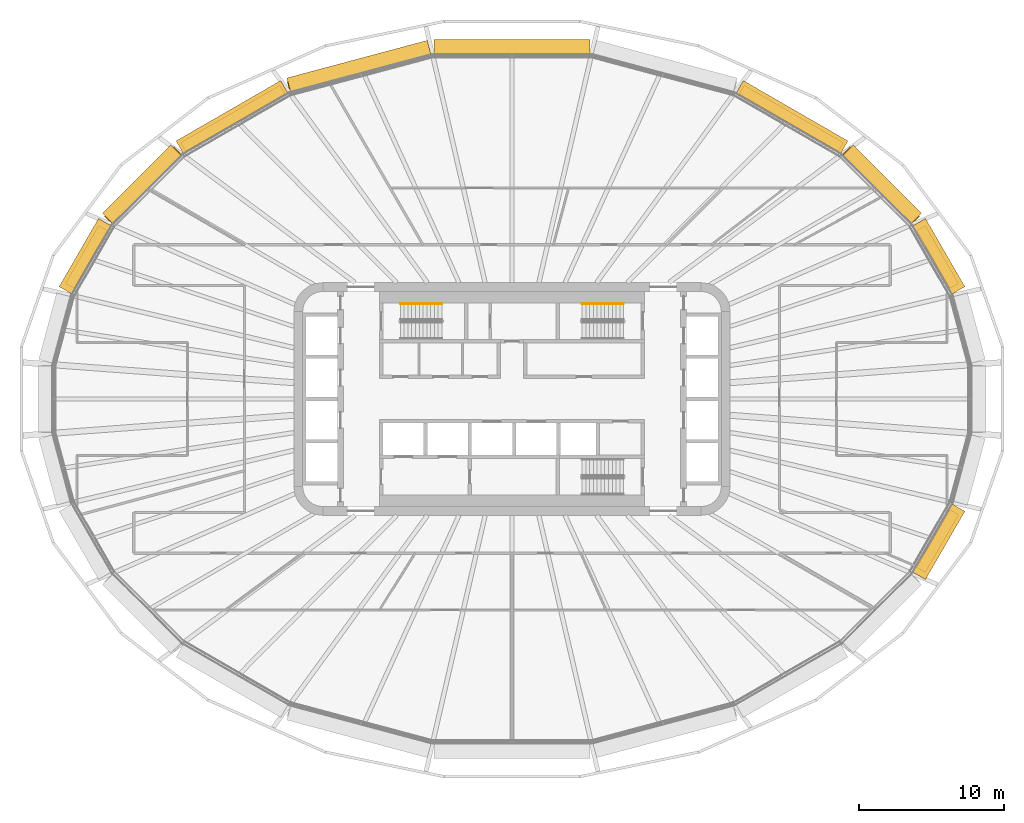
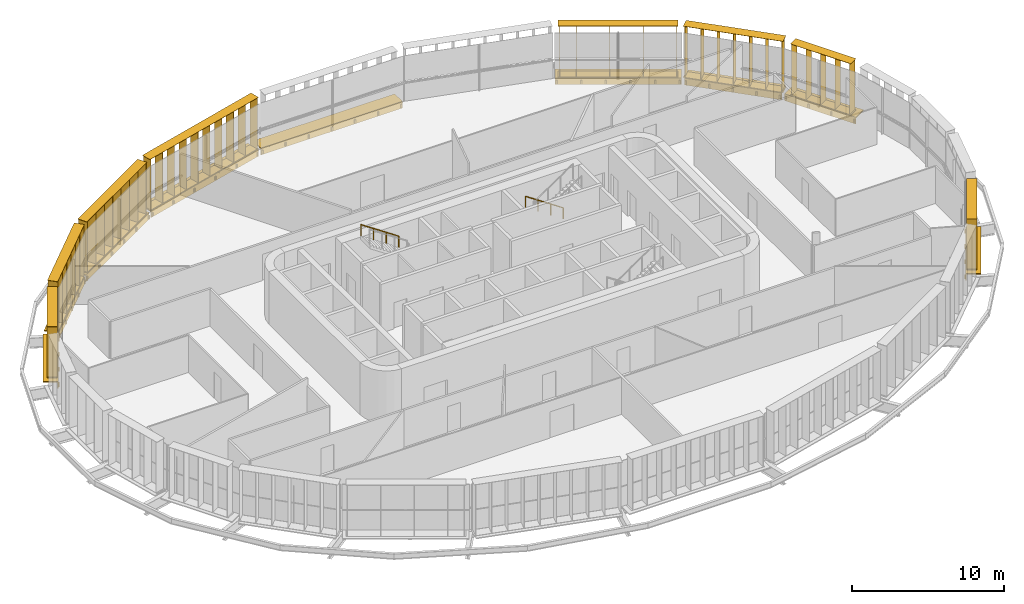
# One storey, part 24 of 25: 17 shading devices, 2 railings.
"""IFC4 building model written with IfcOpenShell, lengths in metres."""

from ifc_helpers import new_model, si_unit, direction, frame, origin, origin_2d, place, context, subcontext, project, spatial, rectangle, circle, extrude, material, type_object, element, save


model = new_model("IFC4")

# Units and contexts
model_context = context("Model", 3, precision=1e-05, world=origin(), true_north=direction((0.0, 1.0)))
body_context = subcontext(model_context, "Body", "Model", "MODEL_VIEW")
ifc_project = project(units=[si_unit("LENGTHUNIT", "METRE"), si_unit("AREAUNIT", "SQUARE_METRE"), si_unit("VOLUMEUNIT", "CUBIC_METRE"), si_unit("PLANEANGLEUNIT", "RADIAN"), si_unit("MASSUNIT", "GRAM", prefix="KILO")], contexts=[model_context])

# Site, building, storey
site_placement = place(None, origin())
site = spatial("IfcSite", under=ifc_project, at=site_placement, CompositionType="ELEMENT")
building_placement = place(site_placement, origin())
building = spatial("IfcBuilding", under=site, at=building_placement, Name="Sahrelin Media Tower", CompositionType="ELEMENT")
storey_placement = place(building_placement, frame((0.0, 0.0, 139.800048828125)))
storey = spatial("IfcBuildingStorey", under=building, at=storey_placement, Name="L28", CompositionType="ELEMENT", Elevation=139.800048828125)

# Shading devices
ifc_material_1 = material(Name="Champagne anodised aluminium 6063-T6", Category="aluminium")
shading_device_type_1 = type_object("IfcShadingDeviceType", Name="Fin cassette", PredefinedType="USERDEFINED", material=ifc_material_1)
placement_1 = place(storey_placement, frame((28.8984375, 9.5546875, 0.0), z_axis=(0.0, 0.0, 1.0), x_axis=(0.500011000363, -0.866019052629, 0.0)))
element("IfcShadingDevice", 1, at=placement_1, inside=storey, type_object=shading_device_type_1, Name="L28:FIN:L28-02", ObjectType="FIN", PredefinedType="USERDEFINED", context=body_context, shape_type="SweptSolid", body=[
    extrude(rectangle(XDim=4.60009765625, YDim=0.699951171875, at=origin_2d()), frame((0.0, 0.419921875, 0.0)), (0.0, 0.0, 1.0), 0.02001953125),
    extrude(rectangle(XDim=4.60009765625, YDim=0.699951171875, at=origin_2d()), frame((0.0, 0.419921875, 4.10009765625)), (0.0, 0.0, 1.0), 0.02001953125),
    extrude(rectangle(XDim=0.02001953125, YDim=0.699951171875, at=origin_2d()), frame((-2.199951171875, 0.419921875, 0.010009765625), z_axis=(0.0, 0.0, 1.0), x_axis=(1.0, 0.0, 0.0)), (0.0, 0.0, 1.0), 4.10009765625),
    extrude(rectangle(XDim=0.02001953125, YDim=0.699951171875, at=origin_2d()), frame((-1.10009765625, 0.419921875, 0.010009765625), z_axis=(0.0, 0.0, 1.0), x_axis=(1.0, 0.0, 0.0)), (0.0, 0.0, 1.0), 4.10009765625),
    extrude(rectangle(XDim=0.02001953125, YDim=0.699951171875, at=origin_2d()), frame((0.0, 0.419921875, 0.010009765625), z_axis=(0.0, 0.0, 1.0), x_axis=(1.0, 0.0, 0.0)), (0.0, 0.0, 1.0), 4.10009765625),
    extrude(rectangle(XDim=0.02001953125, YDim=0.699951171875, at=origin_2d()), frame((1.10009765625, 0.419921875, 0.010009765625), z_axis=(0.0, 0.0, 1.0), x_axis=(1.0, 0.0, 0.0)), (0.0, 0.0, 1.0), 4.10009765625),
    extrude(rectangle(XDim=0.02001953125, YDim=0.699951171875, at=origin_2d()), frame((2.199951171875, 0.419921875, 0.010009765625), z_axis=(0.0, 0.0, 1.0), x_axis=(1.0, 0.0, 0.0)), (0.0, 0.0, 1.0), 4.10009765625),
])
placement_2 = place(storey_placement, frame((25.08349609375, 14.396728515625, 0.0), z_axis=(0.0, 0.0, 1.0), x_axis=(0.707106781187, -0.707106781187, 0.0)))
element("IfcShadingDevice", 2, at=placement_2, inside=storey, type_object=shading_device_type_1, Name="L28:FIN:L28-03", ObjectType="FIN", PredefinedType="USERDEFINED", context=body_context, shape_type="SweptSolid", body=[
    extrude(rectangle(XDim=6.800048828125, YDim=0.699951171875, at=origin_2d()), frame((0.0, 0.419921875, 0.0)), (0.0, 0.0, 1.0), 0.02001953125),
    extrude(rectangle(XDim=6.800048828125, YDim=0.699951171875, at=origin_2d()), frame((0.0, 0.419921875, 4.10009765625)), (0.0, 0.0, 1.0), 0.02001953125),
    extrude(rectangle(XDim=0.02001953125, YDim=0.699951171875, at=origin_2d()), frame((-3.300048828125, 0.419921875, 0.010009765625), z_axis=(0.0, 0.0, 1.0), x_axis=(1.0, 0.0, 0.0)), (0.0, 0.0, 1.0), 4.10009765625),
    extrude(rectangle(XDim=0.02001953125, YDim=0.699951171875, at=origin_2d()), frame((-2.199951171875, 0.419921875, 0.010009765625), z_axis=(0.0, 0.0, 1.0), x_axis=(1.0, 0.0, 0.0)), (0.0, 0.0, 1.0), 4.10009765625),
    extrude(rectangle(XDim=0.02001953125, YDim=0.699951171875, at=origin_2d()), frame((-1.10009765625, 0.419921875, 0.010009765625), z_axis=(0.0, 0.0, 1.0), x_axis=(1.0, 0.0, 0.0)), (0.0, 0.0, 1.0), 4.10009765625),
    extrude(rectangle(XDim=0.02001953125, YDim=0.699951171875, at=origin_2d()), frame((0.0, 0.419921875, 0.010009765625), z_axis=(0.0, 0.0, 1.0), x_axis=(1.0, 0.0, 0.0)), (0.0, 0.0, 1.0), 4.10009765625),
    extrude(rectangle(XDim=0.02001953125, YDim=0.699951171875, at=origin_2d()), frame((1.10009765625, 0.419921875, 0.010009765625), z_axis=(0.0, 0.0, 1.0), x_axis=(1.0, 0.0, 0.0)), (0.0, 0.0, 1.0), 4.10009765625),
    extrude(rectangle(XDim=0.02001953125, YDim=0.699951171875, at=origin_2d()), frame((2.199951171875, 0.419921875, 0.010009765625), z_axis=(0.0, 0.0, 1.0), x_axis=(1.0, 0.0, 0.0)), (0.0, 0.0, 1.0), 4.10009765625),
    extrude(rectangle(XDim=0.02001953125, YDim=0.699951171875, at=origin_2d()), frame((3.300048828125, 0.419921875, 0.010009765625), z_axis=(0.0, 0.0, 1.0), x_axis=(1.0, 0.0, 0.0)), (0.0, 0.0, 1.0), 4.10009765625),
])
placement_3 = place(storey_placement, frame((18.990966796875, 18.93359375, 0.0), z_axis=(0.0, 0.0, 1.0), x_axis=(0.866019052629, -0.500011000363, 0.0)))
element("IfcShadingDevice", 3, at=placement_3, inside=storey, type_object=shading_device_type_1, Name="L28:FIN:L28-04", ObjectType="FIN", PredefinedType="USERDEFINED", context=body_context, shape_type="SweptSolid", body=[
    extrude(rectangle(XDim=7.89990234375, YDim=0.699951171875, at=origin_2d()), frame((0.0, 0.419921875, 0.0)), (0.0, 0.0, 1.0), 0.02001953125),
    extrude(rectangle(XDim=7.89990234375, YDim=0.699951171875, at=origin_2d()), frame((0.0, 0.419921875, 4.10009765625)), (0.0, 0.0, 1.0), 0.02001953125),
    extrude(rectangle(XDim=0.02001953125, YDim=0.699951171875, at=origin_2d()), frame((-3.85009765625, 0.419921875, 0.010009765625), z_axis=(0.0, 0.0, 1.0), x_axis=(1.0, 0.0, 0.0)), (0.0, 0.0, 1.0), 4.10009765625),
    extrude(rectangle(XDim=0.02001953125, YDim=0.699951171875, at=origin_2d()), frame((-2.75, 0.419921875, 0.010009765625), z_axis=(0.0, 0.0, 1.0), x_axis=(1.0, 0.0, 0.0)), (0.0, 0.0, 1.0), 4.10009765625),
    extrude(rectangle(XDim=0.02001953125, YDim=0.699951171875, at=origin_2d()), frame((-1.64990234375, 0.419921875, 0.010009765625), z_axis=(0.0, 0.0, 1.0), x_axis=(1.0, 0.0, 0.0)), (0.0, 0.0, 1.0), 4.10009765625),
    extrude(rectangle(XDim=0.02001953125, YDim=0.699951171875, at=origin_2d()), frame((-0.550048828125, 0.419921875, 0.010009765625), z_axis=(0.0, 0.0, 1.0), x_axis=(1.0, 0.0, 0.0)), (0.0, 0.0, 1.0), 4.10009765625),
    extrude(rectangle(XDim=0.02001953125, YDim=0.699951171875, at=origin_2d()), frame((0.550048828125, 0.419921875, 0.010009765625), z_axis=(0.0, 0.0, 1.0), x_axis=(1.0, 0.0, 0.0)), (0.0, 0.0, 1.0), 4.10009765625),
    extrude(rectangle(XDim=0.02001953125, YDim=0.699951171875, at=origin_2d()), frame((1.64990234375, 0.419921875, 0.010009765625), z_axis=(0.0, 0.0, 1.0), x_axis=(1.0, 0.0, 0.0)), (0.0, 0.0, 1.0), 4.10009765625),
    extrude(rectangle(XDim=0.02001953125, YDim=0.699951171875, at=origin_2d()), frame((2.75, 0.419921875, 0.010009765625), z_axis=(0.0, 0.0, 1.0), x_axis=(1.0, 0.0, 0.0)), (0.0, 0.0, 1.0), 4.10009765625),
    extrude(rectangle(XDim=0.02001953125, YDim=0.699951171875, at=origin_2d()), frame((3.85009765625, 0.419921875, 0.010009765625), z_axis=(0.0, 0.0, 1.0), x_axis=(1.0, 0.0, 0.0)), (0.0, 0.0, 1.0), 4.10009765625),
])
placement_4 = place(storey_placement, frame((-10.389404296875, 22.377197265625, 0.0), z_axis=(0.0, 0.0, 1.0), x_axis=(0.965928857556, 0.258807731996, 0.0)))
element("IfcShadingDevice", 4, at=placement_4, inside=storey, type_object=shading_device_type_1, Name="L28:FIN:L28-07", ObjectType="FIN", PredefinedType="USERDEFINED", context=body_context, shape_type="SweptSolid", body=[
    extrude(rectangle(XDim=10.10009765625, YDim=0.699951171875, at=origin_2d()), frame((0.0, 0.419921875, 0.0)), (0.0, 0.0, 1.0), 0.02001953125),
    extrude(rectangle(XDim=10.10009765625, YDim=0.699951171875, at=origin_2d()), frame((0.0, 0.419921875, 4.10009765625)), (0.0, 0.0, 1.0), 0.02001953125),
    extrude(rectangle(XDim=0.02001953125, YDim=0.699951171875, at=origin_2d()), frame((-4.949951171875, 0.419921875, 0.010009765625), z_axis=(0.0, 0.0, 1.0), x_axis=(1.0, 0.0, 0.0)), (0.0, 0.0, 1.0), 4.10009765625),
    extrude(rectangle(XDim=0.02001953125, YDim=0.699951171875, at=origin_2d()), frame((-3.85009765625, 0.419921875, 0.010009765625), z_axis=(0.0, 0.0, 1.0), x_axis=(1.0, 0.0, 0.0)), (0.0, 0.0, 1.0), 4.10009765625),
    extrude(rectangle(XDim=0.02001953125, YDim=0.699951171875, at=origin_2d()), frame((-2.75, 0.419921875, 0.010009765625), z_axis=(0.0, 0.0, 1.0), x_axis=(1.0, 0.0, 0.0)), (0.0, 0.0, 1.0), 4.10009765625),
    extrude(rectangle(XDim=0.02001953125, YDim=0.699951171875, at=origin_2d()), frame((-1.64990234375, 0.419921875, 0.010009765625), z_axis=(0.0, 0.0, 1.0), x_axis=(1.0, 0.0, 0.0)), (0.0, 0.0, 1.0), 4.10009765625),
    extrude(rectangle(XDim=0.02001953125, YDim=0.699951171875, at=origin_2d()), frame((-0.550048828125, 0.419921875, 0.010009765625), z_axis=(0.0, 0.0, 1.0), x_axis=(1.0, 0.0, 0.0)), (0.0, 0.0, 1.0), 4.10009765625),
    extrude(rectangle(XDim=0.02001953125, YDim=0.699951171875, at=origin_2d()), frame((0.550048828125, 0.419921875, 0.010009765625), z_axis=(0.0, 0.0, 1.0), x_axis=(1.0, 0.0, 0.0)), (0.0, 0.0, 1.0), 4.10009765625),
    extrude(rectangle(XDim=0.02001953125, YDim=0.699951171875, at=origin_2d()), frame((1.64990234375, 0.419921875, 0.010009765625), z_axis=(0.0, 0.0, 1.0), x_axis=(1.0, 0.0, 0.0)), (0.0, 0.0, 1.0), 4.10009765625),
    extrude(rectangle(XDim=0.02001953125, YDim=0.699951171875, at=origin_2d()), frame((2.75, 0.419921875, 0.010009765625), z_axis=(0.0, 0.0, 1.0), x_axis=(1.0, 0.0, 0.0)), (0.0, 0.0, 1.0), 4.10009765625),
    extrude(rectangle(XDim=0.02001953125, YDim=0.699951171875, at=origin_2d()), frame((3.85009765625, 0.419921875, 0.010009765625), z_axis=(0.0, 0.0, 1.0), x_axis=(1.0, 0.0, 0.0)), (0.0, 0.0, 1.0), 4.10009765625),
    extrude(rectangle(XDim=0.02001953125, YDim=0.699951171875, at=origin_2d()), frame((4.949951171875, 0.419921875, 0.010009765625), z_axis=(0.0, 0.0, 1.0), x_axis=(1.0, 0.0, 0.0)), (0.0, 0.0, 1.0), 4.10009765625),
])
placement_5 = place(storey_placement, frame((-18.990966796875, 18.93359375, 0.0), z_axis=(0.0, 0.0, 1.0), x_axis=(0.866019052629, 0.500011000363, 0.0)))
element("IfcShadingDevice", 5, at=placement_5, inside=storey, type_object=shading_device_type_1, Name="L28:FIN:L28-08", ObjectType="FIN", PredefinedType="USERDEFINED", context=body_context, shape_type="SweptSolid", body=[
    extrude(rectangle(XDim=7.89990234375, YDim=0.699951171875, at=origin_2d()), frame((0.0, 0.419921875, 0.0)), (0.0, 0.0, 1.0), 0.02001953125),
    extrude(rectangle(XDim=7.89990234375, YDim=0.699951171875, at=origin_2d()), frame((0.0, 0.419921875, 4.10009765625)), (0.0, 0.0, 1.0), 0.02001953125),
    extrude(rectangle(XDim=0.02001953125, YDim=0.699951171875, at=origin_2d()), frame((-3.85009765625, 0.419921875, 0.010009765625), z_axis=(0.0, 0.0, 1.0), x_axis=(1.0, 0.0, 0.0)), (0.0, 0.0, 1.0), 4.10009765625),
    extrude(rectangle(XDim=0.02001953125, YDim=0.699951171875, at=origin_2d()), frame((-2.75, 0.419921875, 0.010009765625), z_axis=(0.0, 0.0, 1.0), x_axis=(1.0, 0.0, 0.0)), (0.0, 0.0, 1.0), 4.10009765625),
    extrude(rectangle(XDim=0.02001953125, YDim=0.699951171875, at=origin_2d()), frame((-1.64990234375, 0.419921875, 0.010009765625), z_axis=(0.0, 0.0, 1.0), x_axis=(1.0, 0.0, 0.0)), (0.0, 0.0, 1.0), 4.10009765625),
    extrude(rectangle(XDim=0.02001953125, YDim=0.699951171875, at=origin_2d()), frame((-0.550048828125, 0.419921875, 0.010009765625), z_axis=(0.0, 0.0, 1.0), x_axis=(1.0, 0.0, 0.0)), (0.0, 0.0, 1.0), 4.10009765625),
    extrude(rectangle(XDim=0.02001953125, YDim=0.699951171875, at=origin_2d()), frame((0.550048828125, 0.419921875, 0.010009765625), z_axis=(0.0, 0.0, 1.0), x_axis=(1.0, 0.0, 0.0)), (0.0, 0.0, 1.0), 4.10009765625),
    extrude(rectangle(XDim=0.02001953125, YDim=0.699951171875, at=origin_2d()), frame((1.64990234375, 0.419921875, 0.010009765625), z_axis=(0.0, 0.0, 1.0), x_axis=(1.0, 0.0, 0.0)), (0.0, 0.0, 1.0), 4.10009765625),
    extrude(rectangle(XDim=0.02001953125, YDim=0.699951171875, at=origin_2d()), frame((2.75, 0.419921875, 0.010009765625), z_axis=(0.0, 0.0, 1.0), x_axis=(1.0, 0.0, 0.0)), (0.0, 0.0, 1.0), 4.10009765625),
    extrude(rectangle(XDim=0.02001953125, YDim=0.699951171875, at=origin_2d()), frame((3.85009765625, 0.419921875, 0.010009765625), z_axis=(0.0, 0.0, 1.0), x_axis=(1.0, 0.0, 0.0)), (0.0, 0.0, 1.0), 4.10009765625),
])
placement_6 = place(storey_placement, frame((-25.08349609375, 14.39697265625, 0.0), z_axis=(0.0, 0.0, 1.0), x_axis=(0.707106781187, 0.707106781187, 0.0)))
element("IfcShadingDevice", 6, at=placement_6, inside=storey, type_object=shading_device_type_1, Name="L28:FIN:L28-09", ObjectType="FIN", PredefinedType="USERDEFINED", context=body_context, shape_type="SweptSolid", body=[
    extrude(rectangle(XDim=6.800048828125, YDim=0.699951171875, at=origin_2d()), frame((0.0, 0.419921875, 0.0)), (0.0, 0.0, 1.0), 0.02001953125),
    extrude(rectangle(XDim=6.800048828125, YDim=0.699951171875, at=origin_2d()), frame((0.0, 0.419921875, 4.10009765625)), (0.0, 0.0, 1.0), 0.02001953125),
    extrude(rectangle(XDim=0.02001953125, YDim=0.699951171875, at=origin_2d()), frame((-3.300048828125, 0.419921875, 0.010009765625), z_axis=(0.0, 0.0, 1.0), x_axis=(1.0, 0.0, 0.0)), (0.0, 0.0, 1.0), 4.10009765625),
    extrude(rectangle(XDim=0.02001953125, YDim=0.699951171875, at=origin_2d()), frame((-2.199951171875, 0.419921875, 0.010009765625), z_axis=(0.0, 0.0, 1.0), x_axis=(1.0, 0.0, 0.0)), (0.0, 0.0, 1.0), 4.10009765625),
    extrude(rectangle(XDim=0.02001953125, YDim=0.699951171875, at=origin_2d()), frame((-1.10009765625, 0.419921875, 0.010009765625), z_axis=(0.0, 0.0, 1.0), x_axis=(1.0, 0.0, 0.0)), (0.0, 0.0, 1.0), 4.10009765625),
    extrude(rectangle(XDim=0.02001953125, YDim=0.699951171875, at=origin_2d()), frame((0.0, 0.419921875, 0.010009765625), z_axis=(0.0, 0.0, 1.0), x_axis=(1.0, 0.0, 0.0)), (0.0, 0.0, 1.0), 4.10009765625),
    extrude(rectangle(XDim=0.02001953125, YDim=0.699951171875, at=origin_2d()), frame((1.10009765625, 0.419921875, 0.010009765625), z_axis=(0.0, 0.0, 1.0), x_axis=(1.0, 0.0, 0.0)), (0.0, 0.0, 1.0), 4.10009765625),
    extrude(rectangle(XDim=0.02001953125, YDim=0.699951171875, at=origin_2d()), frame((2.199951171875, 0.419921875, 0.010009765625), z_axis=(0.0, 0.0, 1.0), x_axis=(1.0, 0.0, 0.0)), (0.0, 0.0, 1.0), 4.10009765625),
    extrude(rectangle(XDim=0.02001953125, YDim=0.699951171875, at=origin_2d()), frame((3.300048828125, 0.419921875, 0.010009765625), z_axis=(0.0, 0.0, 1.0), x_axis=(1.0, 0.0, 0.0)), (0.0, 0.0, 1.0), 4.10009765625),
])
placement_7 = place(storey_placement, frame((-28.8984375, 9.5546875, 0.0), z_axis=(0.0, 0.0, 1.0), x_axis=(0.500011000363, 0.866019052629, 0.0)))
element("IfcShadingDevice", 7, at=placement_7, inside=storey, type_object=shading_device_type_1, Name="L28:FIN:L28-10", ObjectType="FIN", PredefinedType="USERDEFINED", context=body_context, shape_type="SweptSolid", body=[
    extrude(rectangle(XDim=4.60009765625, YDim=0.699951171875, at=origin_2d()), frame((0.0, 0.419921875, 0.0)), (0.0, 0.0, 1.0), 0.02001953125),
    extrude(rectangle(XDim=4.60009765625, YDim=0.699951171875, at=origin_2d()), frame((0.0, 0.419921875, 4.10009765625)), (0.0, 0.0, 1.0), 0.02001953125),
    extrude(rectangle(XDim=0.02001953125, YDim=0.699951171875, at=origin_2d()), frame((-2.199951171875, 0.419921875, 0.010009765625), z_axis=(0.0, 0.0, 1.0), x_axis=(1.0, 0.0, 0.0)), (0.0, 0.0, 1.0), 4.10009765625),
    extrude(rectangle(XDim=0.02001953125, YDim=0.699951171875, at=origin_2d()), frame((-1.10009765625, 0.419921875, 0.010009765625), z_axis=(0.0, 0.0, 1.0), x_axis=(1.0, 0.0, 0.0)), (0.0, 0.0, 1.0), 4.10009765625),
    extrude(rectangle(XDim=0.02001953125, YDim=0.699951171875, at=origin_2d()), frame((0.0, 0.419921875, 0.010009765625), z_axis=(0.0, 0.0, 1.0), x_axis=(1.0, 0.0, 0.0)), (0.0, 0.0, 1.0), 4.10009765625),
    extrude(rectangle(XDim=0.02001953125, YDim=0.699951171875, at=origin_2d()), frame((1.10009765625, 0.419921875, 0.010009765625), z_axis=(0.0, 0.0, 1.0), x_axis=(1.0, 0.0, 0.0)), (0.0, 0.0, 1.0), 4.10009765625),
    extrude(rectangle(XDim=0.02001953125, YDim=0.699951171875, at=origin_2d()), frame((2.199951171875, 0.419921875, 0.010009765625), z_axis=(0.0, 0.0, 1.0), x_axis=(1.0, 0.0, 0.0)), (0.0, 0.0, 1.0), 4.10009765625),
])
placement_8 = place(storey_placement, frame((28.8984375, -9.5546875, 0.0), z_axis=(0.0, 0.0, 1.0), x_axis=(-0.500011000363, -0.866019052629, 0.0)))
element("IfcShadingDevice", 8, at=placement_8, inside=storey, type_object=shading_device_type_1, Name="L28:FIN:L28-22", ObjectType="FIN", PredefinedType="USERDEFINED", context=body_context, shape_type="SweptSolid", body=[
    extrude(rectangle(XDim=4.60009765625, YDim=0.699951171875, at=origin_2d()), frame((0.0, 0.419921875, 0.0)), (0.0, 0.0, 1.0), 0.02001953125),
    extrude(rectangle(XDim=4.60009765625, YDim=0.699951171875, at=origin_2d()), frame((0.0, 0.419921875, 4.10009765625)), (0.0, 0.0, 1.0), 0.02001953125),
    extrude(rectangle(XDim=0.02001953125, YDim=0.699951171875, at=origin_2d()), frame((-2.199951171875, 0.419921875, 0.010009765625), z_axis=(0.0, 0.0, 1.0), x_axis=(1.0, 0.0, 0.0)), (0.0, 0.0, 1.0), 4.10009765625),
    extrude(rectangle(XDim=0.02001953125, YDim=0.699951171875, at=origin_2d()), frame((-1.10009765625, 0.419921875, 0.010009765625), z_axis=(0.0, 0.0, 1.0), x_axis=(1.0, 0.0, 0.0)), (0.0, 0.0, 1.0), 4.10009765625),
    extrude(rectangle(XDim=0.02001953125, YDim=0.699951171875, at=origin_2d()), frame((0.0, 0.419921875, 0.010009765625), z_axis=(0.0, 0.0, 1.0), x_axis=(1.0, 0.0, 0.0)), (0.0, 0.0, 1.0), 4.10009765625),
    extrude(rectangle(XDim=0.02001953125, YDim=0.699951171875, at=origin_2d()), frame((1.10009765625, 0.419921875, 0.010009765625), z_axis=(0.0, 0.0, 1.0), x_axis=(1.0, 0.0, 0.0)), (0.0, 0.0, 1.0), 4.10009765625),
    extrude(rectangle(XDim=0.02001953125, YDim=0.699951171875, at=origin_2d()), frame((2.199951171875, 0.419921875, 0.010009765625), z_axis=(0.0, 0.0, 1.0), x_axis=(1.0, 0.0, 0.0)), (0.0, 0.0, 1.0), 4.10009765625),
])

# Railings
ifc_material_2 = material(Name="Steel S355", Category="steel")
railing_type = type_object("IfcRailingType", Name="Stair handrail 900", PredefinedType="HANDRAIL", material=ifc_material_2)
railing_1_placement = place(storey_placement, frame((-4.81494140625, 6.550048828125, 2.27490234375)))
element("IfcRailing", 9, at=railing_1_placement, inside=storey, type_object=railing_type, Name="L28 ST1 stair handrail 2", PredefinedType="HANDRAIL", context=body_context, shape_type="SweptSolid", body=[
    extrude(circle(Radius=0.02392578125, at=origin_2d()), frame((0.0, 0.0, 0.8759765625), z_axis=(-0.829590901723, 0.0, 0.558371682465), x_axis=(0.0, -1.0, 0.0)), (0.0, 0.0, 1.0), 3.447509765625),
    extrude(circle(Radius=0.02099609375, at=origin_2d()), origin(), (0.0, 0.0, 1.0), 0.851806640625),
    extrude(circle(Radius=0.02099609375, at=origin_2d()), frame((-0.953369140625, 0.0, 0.6416015625)), (0.0, 0.0, 1.0), 0.851806640625),
    extrude(circle(Radius=0.02099609375, at=origin_2d()), frame((-1.90673828125, 0.0, 1.283447265625)), (0.0, 0.0, 1.0), 0.851806640625),
    extrude(circle(Radius=0.02099609375, at=origin_2d()), frame((-2.860107421875, 0.0, 1.925048828125)), (0.0, 0.0, 1.0), 0.851806640625),
])
railing_2_placement = place(storey_placement, frame((7.675048828125, 6.550048828125, 0.175048828125)))
element("IfcRailing", 10, at=railing_2_placement, inside=storey, type_object=railing_type, Name="L28 ST3 stair handrail 1", PredefinedType="HANDRAIL", context=body_context, shape_type="SweptSolid", body=[
    extrude(circle(Radius=0.02392578125, at=origin_2d()), frame((0.0, 0.0, 0.8759765625), z_axis=(-0.829623704247, 0.0, 0.558322943601), x_axis=(0.0, -1.0, 0.0)), (0.0, 0.0, 1.0), 3.447509765625),
    extrude(circle(Radius=0.02099609375, at=origin_2d()), origin(), (0.0, 0.0, 1.0), 0.851806640625),
    extrude(circle(Radius=0.02099609375, at=origin_2d()), frame((-0.953369140625, 0.0, 0.6416015625)), (0.0, 0.0, 1.0), 0.851806640625),
    extrude(circle(Radius=0.02099609375, at=origin_2d()), frame((-1.90673828125, 0.0, 1.283203125)), (0.0, 0.0, 1.0), 0.851806640625),
    extrude(circle(Radius=0.02099609375, at=origin_2d()), frame((-2.860107421875, 0.0, 1.9248046875)), (0.0, 0.0, 1.0), 0.851806640625),
])

# Shading devices
shading_device_type_2 = type_object("IfcShadingDeviceType", Name="Sunshade band", PredefinedType="USERDEFINED", material=ifc_material_1)
element("IfcShadingDevice", 11, at=placement_1, inside=storey, type_object=shading_device_type_2, Name="L28:SUN:L28-02", ObjectType="SUNSHADE", PredefinedType="USERDEFINED", context=body_context, shape_type="SweptSolid", body=[
    extrude(rectangle(XDim=5.413818359375, YDim=0.050048828125, at=origin_2d()), frame((0.0, 0.044921875, -0.55126953125)), (0.0, 0.0, 1.0), 0.471435546875),
    extrude(rectangle(XDim=5.413818359375, YDim=1.0, at=origin_2d()), frame((0.0, 0.52001953125, -0.080078125)), (0.0, 0.0, 1.0), 0.080078125),
    extrude(rectangle(XDim=0.10009765625, YDim=0.074951171875, at=origin_2d()), frame((-2.606689453125, -0.017578125, -0.47021484375)), (0.0, 0.0, 1.0), 0.300048828125),
    extrude(rectangle(XDim=0.10009765625, YDim=0.074951171875, at=origin_2d()), frame((-0.868896484375, -0.017578125, -0.47021484375)), (0.0, 0.0, 1.0), 0.300048828125),
    extrude(rectangle(XDim=0.10009765625, YDim=0.074951171875, at=origin_2d()), frame((0.868896484375, -0.017578125, -0.47021484375)), (0.0, 0.0, 1.0), 0.300048828125),
    extrude(rectangle(XDim=0.10009765625, YDim=0.074951171875, at=origin_2d()), frame((2.606689453125, -0.017578125, -0.47021484375)), (0.0, 0.0, 1.0), 0.300048828125),
])
element("IfcShadingDevice", 12, at=placement_2, inside=storey, type_object=shading_device_type_2, Name="L28:SUN:L28-03", ObjectType="SUNSHADE", PredefinedType="USERDEFINED", context=body_context, shape_type="SweptSolid", body=[
    extrude(rectangle(XDim=6.62060546875, YDim=0.050048828125, at=origin_2d()), frame((0.0, 0.044921875, -0.55126953125)), (0.0, 0.0, 1.0), 0.471435546875),
    extrude(rectangle(XDim=6.62060546875, YDim=1.0, at=origin_2d()), frame((0.0, 0.52001953125, -0.080078125)), (0.0, 0.0, 1.0), 0.080078125),
    extrude(rectangle(XDim=0.10009765625, YDim=0.074951171875, at=origin_2d()), frame((-3.210205078125, -0.017578125, -0.47021484375)), (0.0, 0.0, 1.0), 0.300048828125),
    extrude(rectangle(XDim=0.10009765625, YDim=0.074951171875, at=origin_2d()), frame((-1.605224609375, -0.017578125, -0.47021484375)), (0.0, 0.0, 1.0), 0.300048828125),
    extrude(rectangle(XDim=0.10009765625, YDim=0.074951171875, at=origin_2d()), frame((0.0, -0.017578125, -0.47021484375)), (0.0, 0.0, 1.0), 0.300048828125),
    extrude(rectangle(XDim=0.10009765625, YDim=0.074951171875, at=origin_2d()), frame((1.605224609375, -0.017578125, -0.47021484375)), (0.0, 0.0, 1.0), 0.300048828125),
    extrude(rectangle(XDim=0.10009765625, YDim=0.074951171875, at=origin_2d()), frame((3.210205078125, -0.017578125, -0.47021484375)), (0.0, 0.0, 1.0), 0.300048828125),
])
element("IfcShadingDevice", 13, at=placement_3, inside=storey, type_object=shading_device_type_2, Name="L28:SUN:L28-04", ObjectType="SUNSHADE", PredefinedType="USERDEFINED", context=body_context, shape_type="SweptSolid", body=[
    extrude(rectangle(XDim=8.30126953125, YDim=0.050048828125, at=origin_2d()), frame((0.0, 0.044921875, -0.55126953125)), (0.0, 0.0, 1.0), 0.471435546875),
    extrude(rectangle(XDim=8.30126953125, YDim=1.0, at=origin_2d()), frame((0.0, 0.52001953125, -0.080078125)), (0.0, 0.0, 1.0), 0.080078125),
    extrude(rectangle(XDim=0.10009765625, YDim=0.074951171875, at=origin_2d()), frame((-4.050537109375, -0.017578125, -0.47021484375)), (0.0, 0.0, 1.0), 0.300048828125),
    extrude(rectangle(XDim=0.10009765625, YDim=0.074951171875, at=origin_2d()), frame((-2.430419921875, -0.017578125, -0.47021484375)), (0.0, 0.0, 1.0), 0.300048828125),
    extrude(rectangle(XDim=0.10009765625, YDim=0.074951171875, at=origin_2d()), frame((-0.81005859375, -0.017578125, -0.47021484375)), (0.0, 0.0, 1.0), 0.300048828125),
    extrude(rectangle(XDim=0.10009765625, YDim=0.074951171875, at=origin_2d()), frame((0.81005859375, -0.017578125, -0.47021484375)), (0.0, 0.0, 1.0), 0.300048828125),
    extrude(rectangle(XDim=0.10009765625, YDim=0.074951171875, at=origin_2d()), frame((2.430419921875, -0.017578125, -0.47021484375)), (0.0, 0.0, 1.0), 0.300048828125),
    extrude(rectangle(XDim=0.10009765625, YDim=0.074951171875, at=origin_2d()), frame((4.050537109375, -0.017578125, -0.47021484375)), (0.0, 0.0, 1.0), 0.300048828125),
])
shading_device_12_placement = place(storey_placement, frame((0.0, 23.69580078125, 0.0), z_axis=(0.0, 0.0, 1.0), x_axis=(1.0, 0.0, 0.0)))
element("IfcShadingDevice", 14, at=shading_device_12_placement, inside=storey, type_object=shading_device_type_2, Name="L28:SUN:L28-06", ObjectType="SUNSHADE", PredefinedType="USERDEFINED", context=body_context, shape_type="SweptSolid", body=[
    extrude(rectangle(XDim=10.73828125, YDim=0.050048828125, at=origin_2d()), frame((0.0, 0.044921875, -0.55126953125)), (0.0, 0.0, 1.0), 0.471435546875),
    extrude(rectangle(XDim=10.73828125, YDim=1.0, at=origin_2d()), frame((0.0, 0.52001953125, -0.080078125)), (0.0, 0.0, 1.0), 0.080078125),
    extrude(rectangle(XDim=0.10009765625, YDim=0.074951171875, at=origin_2d()), frame((-5.26904296875, -0.017578125, -0.47021484375)), (0.0, 0.0, 1.0), 0.300048828125),
    extrude(rectangle(XDim=0.10009765625, YDim=0.074951171875, at=origin_2d()), frame((-3.5126953125, -0.017578125, -0.47021484375)), (0.0, 0.0, 1.0), 0.300048828125),
    extrude(rectangle(XDim=0.10009765625, YDim=0.074951171875, at=origin_2d()), frame((-1.75634765625, -0.017578125, -0.47021484375)), (0.0, 0.0, 1.0), 0.300048828125),
    extrude(rectangle(XDim=0.10009765625, YDim=0.074951171875, at=origin_2d()), frame((0.0, -0.017578125, -0.47021484375)), (0.0, 0.0, 1.0), 0.300048828125),
    extrude(rectangle(XDim=0.10009765625, YDim=0.074951171875, at=origin_2d()), frame((1.75634765625, -0.017578125, -0.47021484375)), (0.0, 0.0, 1.0), 0.300048828125),
    extrude(rectangle(XDim=0.10009765625, YDim=0.074951171875, at=origin_2d()), frame((3.5126953125, -0.017578125, -0.47021484375)), (0.0, 0.0, 1.0), 0.300048828125),
    extrude(rectangle(XDim=0.10009765625, YDim=0.074951171875, at=origin_2d()), frame((5.26904296875, -0.017578125, -0.47021484375)), (0.0, 0.0, 1.0), 0.300048828125),
])
element("IfcShadingDevice", 15, at=placement_4, inside=storey, type_object=shading_device_type_2, Name="L28:SUN:L28-07", ObjectType="SUNSHADE", PredefinedType="USERDEFINED", context=body_context, shape_type="SweptSolid", body=[
    extrude(rectangle(XDim=9.98779296875, YDim=0.050048828125, at=origin_2d()), frame((0.0, 0.044921875, -0.55126953125)), (0.0, 0.0, 1.0), 0.471435546875),
    extrude(rectangle(XDim=9.98779296875, YDim=1.0, at=origin_2d()), frame((0.0, 0.52001953125, -0.080078125)), (0.0, 0.0, 1.0), 0.080078125),
    extrude(rectangle(XDim=0.10009765625, YDim=0.074951171875, at=origin_2d()), frame((-4.893798828125, -0.017578125, -0.47021484375)), (0.0, 0.0, 1.0), 0.300048828125),
    extrude(rectangle(XDim=0.10009765625, YDim=0.074951171875, at=origin_2d()), frame((-2.936279296875, -0.017578125, -0.47021484375)), (0.0, 0.0, 1.0), 0.300048828125),
    extrude(rectangle(XDim=0.10009765625, YDim=0.074951171875, at=origin_2d()), frame((-0.978759765625, -0.017578125, -0.47021484375)), (0.0, 0.0, 1.0), 0.300048828125),
    extrude(rectangle(XDim=0.10009765625, YDim=0.074951171875, at=origin_2d()), frame((0.978759765625, -0.017578125, -0.47021484375)), (0.0, 0.0, 1.0), 0.300048828125),
    extrude(rectangle(XDim=0.10009765625, YDim=0.074951171875, at=origin_2d()), frame((2.936279296875, -0.017578125, -0.47021484375)), (0.0, 0.0, 1.0), 0.300048828125),
    extrude(rectangle(XDim=0.10009765625, YDim=0.074951171875, at=origin_2d()), frame((4.893798828125, -0.017578125, -0.47021484375)), (0.0, 0.0, 1.0), 0.300048828125),
])
element("IfcShadingDevice", 16, at=placement_5, inside=storey, type_object=shading_device_type_2, Name="L28:SUN:L28-08", ObjectType="SUNSHADE", PredefinedType="USERDEFINED", context=body_context, shape_type="SweptSolid", body=[
    extrude(rectangle(XDim=8.30126953125, YDim=0.050048828125, at=origin_2d()), frame((0.0, 0.044921875, -0.55126953125)), (0.0, 0.0, 1.0), 0.471435546875),
    extrude(rectangle(XDim=8.30126953125, YDim=1.0, at=origin_2d()), frame((0.0, 0.52001953125, -0.080078125)), (0.0, 0.0, 1.0), 0.080078125),
    extrude(rectangle(XDim=0.10009765625, YDim=0.074951171875, at=origin_2d()), frame((-4.050537109375, -0.017578125, -0.47021484375)), (0.0, 0.0, 1.0), 0.300048828125),
    extrude(rectangle(XDim=0.10009765625, YDim=0.074951171875, at=origin_2d()), frame((-2.430419921875, -0.017578125, -0.47021484375)), (0.0, 0.0, 1.0), 0.300048828125),
    extrude(rectangle(XDim=0.10009765625, YDim=0.074951171875, at=origin_2d()), frame((-0.81005859375, -0.017578125, -0.47021484375)), (0.0, 0.0, 1.0), 0.300048828125),
    extrude(rectangle(XDim=0.10009765625, YDim=0.074951171875, at=origin_2d()), frame((0.81005859375, -0.017578125, -0.47021484375)), (0.0, 0.0, 1.0), 0.300048828125),
    extrude(rectangle(XDim=0.10009765625, YDim=0.074951171875, at=origin_2d()), frame((2.430419921875, -0.017578125, -0.47021484375)), (0.0, 0.0, 1.0), 0.300048828125),
    extrude(rectangle(XDim=0.10009765625, YDim=0.074951171875, at=origin_2d()), frame((4.050537109375, -0.017578125, -0.47021484375)), (0.0, 0.0, 1.0), 0.300048828125),
])
element("IfcShadingDevice", 17, at=placement_6, inside=storey, type_object=shading_device_type_2, Name="L28:SUN:L28-09", ObjectType="SUNSHADE", PredefinedType="USERDEFINED", context=body_context, shape_type="SweptSolid", body=[
    extrude(rectangle(XDim=6.62060546875, YDim=0.050048828125, at=origin_2d()), frame((0.0, 0.044921875, -0.55126953125)), (0.0, 0.0, 1.0), 0.471435546875),
    extrude(rectangle(XDim=6.62060546875, YDim=1.0, at=origin_2d()), frame((0.0, 0.52001953125, -0.080078125)), (0.0, 0.0, 1.0), 0.080078125),
    extrude(rectangle(XDim=0.10009765625, YDim=0.074951171875, at=origin_2d()), frame((-3.210205078125, -0.017578125, -0.47021484375)), (0.0, 0.0, 1.0), 0.300048828125),
    extrude(rectangle(XDim=0.10009765625, YDim=0.074951171875, at=origin_2d()), frame((-1.605224609375, -0.017578125, -0.47021484375)), (0.0, 0.0, 1.0), 0.300048828125),
    extrude(rectangle(XDim=0.10009765625, YDim=0.074951171875, at=origin_2d()), frame((0.0, -0.017578125, -0.47021484375)), (0.0, 0.0, 1.0), 0.300048828125),
    extrude(rectangle(XDim=0.10009765625, YDim=0.074951171875, at=origin_2d()), frame((1.605224609375, -0.017578125, -0.47021484375)), (0.0, 0.0, 1.0), 0.300048828125),
    extrude(rectangle(XDim=0.10009765625, YDim=0.074951171875, at=origin_2d()), frame((3.210205078125, -0.017578125, -0.47021484375)), (0.0, 0.0, 1.0), 0.300048828125),
])
element("IfcShadingDevice", 18, at=placement_7, inside=storey, type_object=shading_device_type_2, Name="L28:SUN:L28-10", ObjectType="SUNSHADE", PredefinedType="USERDEFINED", context=body_context, shape_type="SweptSolid", body=[
    extrude(rectangle(XDim=5.413818359375, YDim=0.050048828125, at=origin_2d()), frame((0.0, 0.044921875, -0.55126953125)), (0.0, 0.0, 1.0), 0.471435546875),
    extrude(rectangle(XDim=5.413818359375, YDim=1.0, at=origin_2d()), frame((0.0, 0.52001953125, -0.080078125)), (0.0, 0.0, 1.0), 0.080078125),
    extrude(rectangle(XDim=0.10009765625, YDim=0.074951171875, at=origin_2d()), frame((-2.606689453125, -0.017578125, -0.47021484375)), (0.0, 0.0, 1.0), 0.300048828125),
    extrude(rectangle(XDim=0.10009765625, YDim=0.074951171875, at=origin_2d()), frame((-0.868896484375, -0.017578125, -0.47021484375)), (0.0, 0.0, 1.0), 0.300048828125),
    extrude(rectangle(XDim=0.10009765625, YDim=0.074951171875, at=origin_2d()), frame((0.868896484375, -0.017578125, -0.47021484375)), (0.0, 0.0, 1.0), 0.300048828125),
    extrude(rectangle(XDim=0.10009765625, YDim=0.074951171875, at=origin_2d()), frame((2.606689453125, -0.017578125, -0.47021484375)), (0.0, 0.0, 1.0), 0.300048828125),
])
element("IfcShadingDevice", 19, at=placement_8, inside=storey, type_object=shading_device_type_2, Name="L28:SUN:L28-22", ObjectType="SUNSHADE", PredefinedType="USERDEFINED", context=body_context, shape_type="SweptSolid", body=[
    extrude(rectangle(XDim=5.413818359375, YDim=0.050048828125, at=origin_2d()), frame((0.0, 0.044921875, -0.55126953125)), (0.0, 0.0, 1.0), 0.471435546875),
    extrude(rectangle(XDim=5.413818359375, YDim=1.0, at=origin_2d()), frame((0.0, 0.52001953125, -0.080078125)), (0.0, 0.0, 1.0), 0.080078125),
    extrude(rectangle(XDim=0.10009765625, YDim=0.074951171875, at=origin_2d()), frame((-2.606689453125, -0.017578125, -0.47021484375)), (0.0, 0.0, 1.0), 0.300048828125),
    extrude(rectangle(XDim=0.10009765625, YDim=0.074951171875, at=origin_2d()), frame((-0.868896484375, -0.017578125, -0.47021484375)), (0.0, 0.0, 1.0), 0.300048828125),
    extrude(rectangle(XDim=0.10009765625, YDim=0.074951171875, at=origin_2d()), frame((0.868896484375, -0.017578125, -0.47021484375)), (0.0, 0.0, 1.0), 0.300048828125),
    extrude(rectangle(XDim=0.10009765625, YDim=0.074951171875, at=origin_2d()), frame((2.606689453125, -0.017578125, -0.47021484375)), (0.0, 0.0, 1.0), 0.300048828125),
])

save(model, "model.ifc")
